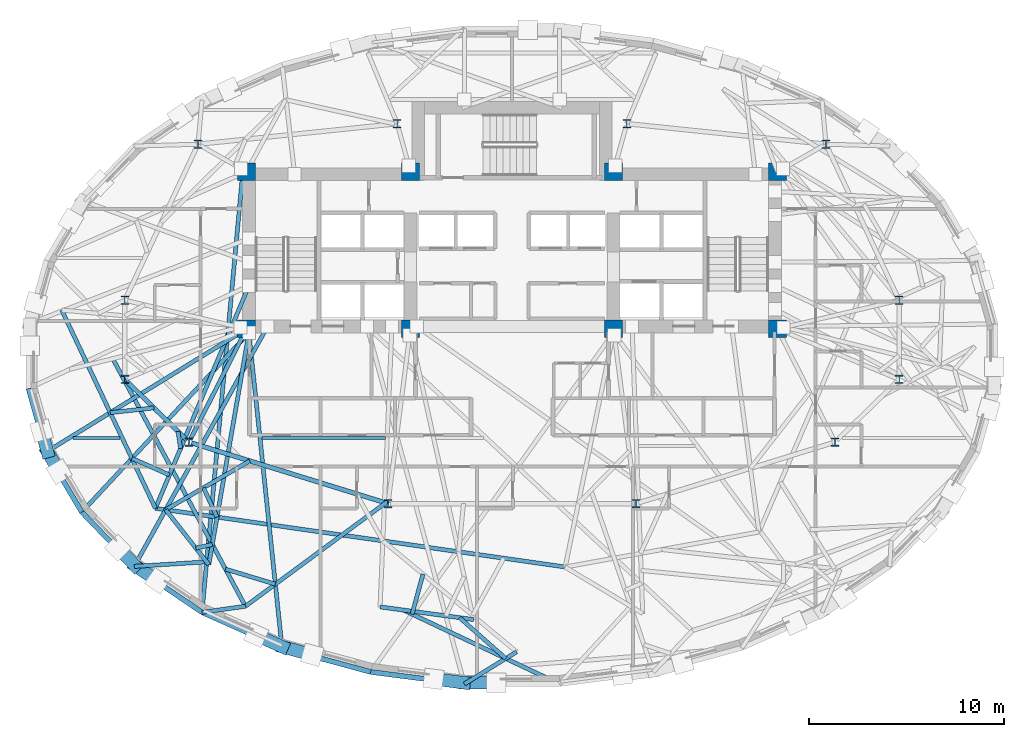
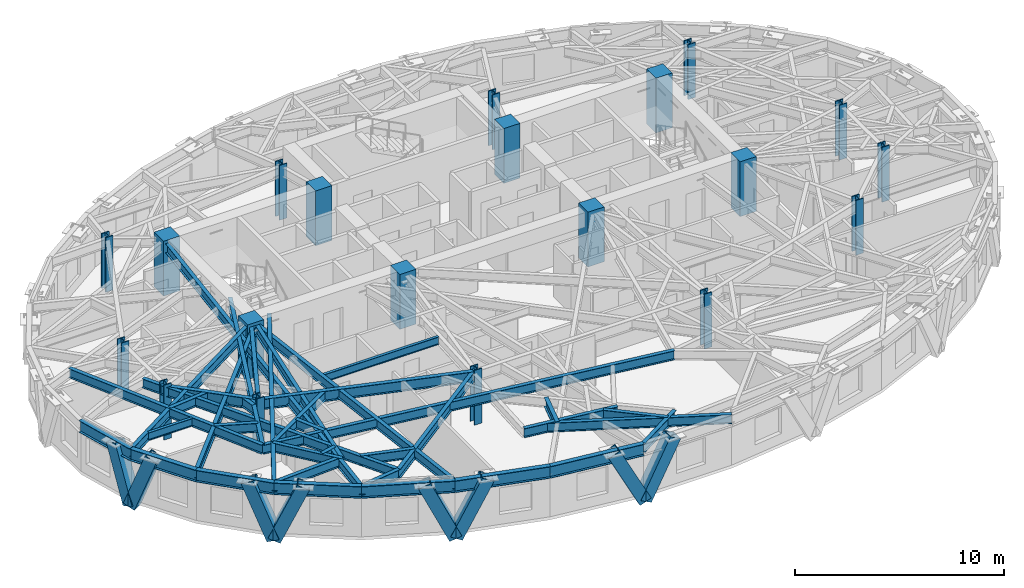
# One storey, part 1 of 15: 38 beams, 20 columns, 8 members.
"""IFC4 building model written with IfcOpenShell, lengths in metres."""

from ifc_helpers import new_model, si_unit, direction, frame, origin, origin_2d, place, context, subcontext, project, spatial, rectangle, hollow_rectangle, i_section, extrude, material, material_profile, profile_set, type_object, element, save


model = new_model("IFC4")

# Units and contexts
model_context = context("Model", 3, precision=1e-05, world=origin(), true_north=direction((0.0, 1.0)))
body_context = subcontext(model_context, "Body", "Model", "MODEL_VIEW")
ifc_project = project(units=[si_unit("LENGTHUNIT", "METRE"), si_unit("AREAUNIT", "SQUARE_METRE"), si_unit("VOLUMEUNIT", "CUBIC_METRE"), si_unit("PLANEANGLEUNIT", "RADIAN"), si_unit("MASSUNIT", "GRAM", prefix="KILO")], contexts=[model_context])

# Site, building, storey
site_placement = place(None, origin())
site = spatial("IfcSite", under=ifc_project, at=site_placement, CompositionType="ELEMENT")
building_placement = place(site_placement, origin())
building = spatial("IfcBuilding", under=site, at=building_placement, Name="Keldmark Tower", CompositionType="ELEMENT")
storey_placement = place(building_placement, frame((0.0, 0.0, 166.199951171875)))
storey = spatial("IfcBuildingStorey", under=building, at=storey_placement, Name="L45", CompositionType="ELEMENT", Elevation=166.199951171875)

# Columns
ifc_material_1 = material(Name="Concrete C50/60", Category="concrete")
ifc_material_profile_1 = material_profile(ifc_material_1, rectangle(XDim=0.89990234375, YDim=0.89990234375, at=origin_2d()), Name="RC900X900")
ifc_profile_set_1 = profile_set([ifc_material_profile_1], Name="Concrete C50/60")
column_type_1 = type_object("IfcColumnType", Name="Core Boundary Column RC900", PredefinedType="COLUMN", material=ifc_profile_set_1)
for number, where, z_axis, x_axis, name in (
    (1, (-13.60009765625, 1.39990234375, 0.0), (0.0, 0.0, 1.0), (1.0, 0.0, 0.0), "L45 Core Boundary Column CC-W1"),
    (2, (-13.60009765625, 9.449951171875, 0.0), (0.0, 0.0, 1.0), (1.0, 0.0, 0.0), "L45 Core Boundary Column CC-W2"),
    (3, (-5.199951171875, 1.39990234375, 0.0), (0.0, 0.0, 1.0), (1.0, 0.0, 0.0), "L45 Core Boundary Column CC-W3"),
    (4, (-5.199951171875, 9.449951171875, 0.0), (0.0, 0.0, 1.0), (1.0, 0.0, 0.0), "L45 Core Boundary Column CC-W4"),
    (5, (5.199951171875, 1.39990234375, 0.0), (0.0, 0.0, 1.0), (1.0, 0.0, 0.0), "L45 Core Boundary Column CC-E1"),
    (6, (5.199951171875, 9.449951171875, 0.0), (0.0, 0.0, 1.0), (1.0, 0.0, 0.0), "L45 Core Boundary Column CC-E2"),
    (7, (13.60009765625, 1.39990234375, 0.0), (0.0, 0.0, 1.0), (1.0, 0.0, 0.0), "L45 Core Boundary Column CC-E3"),
    (8, (13.60009765625, 9.449951171875, 0.0), (0.0, 0.0, 1.0), (1.0, 0.0, 0.0), "L45 Core Boundary Column CC-E4"),
):
    element("IfcColumn", number, at=place(storey_placement, frame(where, z_axis=z_axis, x_axis=x_axis)), inside=storey, type_object=column_type_1, Name=name, PredefinedType="COLUMN", context=body_context, shape_type="SweptSolid", body=[
        extrude(rectangle(XDim=0.89990234375, YDim=0.89990234375, at=origin_2d()), origin(), (0.0, 0.0, 1.0), 3.199951171875),
    ])
ifc_material_2 = material(Name="Steel ASTM A992 Grade 50", Category="steel")
ifc_material_profile_2 = material_profile(ifc_material_2, i_section(OverallWidth=0.412109375, OverallDepth=0.43505859375, WebThickness=0.035888671875, FlangeThickness=0.057373046875, at=origin_2d()), Name="W14X311")
ifc_profile_set_2 = profile_set([ifc_material_profile_2], Name="Steel ASTM A992 Grade 50")
column_type_2 = type_object("IfcColumnType", Name="Tower Gravity Column W14X311", PredefinedType="COLUMN", material=ifc_profile_set_2)
for number, where, z_axis, x_axis, name in (
    (9, (19.828369140625, 2.869140625, 0.0), (0.0, 0.0, 1.0), (1.0, 0.0, 0.0), "L45 Tower Gravity Column TC-E1"),
    (10, (16.08154296875, 10.861083984375, 0.0), (0.0, 0.0, 1.0), (1.0, 0.0, 0.0), "L45 Tower Gravity Column TC-E4"),
    (11, (5.880126953125, 11.915283203125, 0.0), (0.0, 0.0, 1.0), (1.0, 0.0, 0.0), "L45 Tower Gravity Column TC-N2"),
    (12, (-5.880126953125, 11.915283203125, 0.0), (0.0, 0.0, 1.0), (1.0, 0.0, 0.0), "L45 Tower Gravity Column TC-N1"),
    (13, (-16.08154296875, 10.861083984375, 0.0), (0.0, 0.0, 1.0), (1.0, 0.0, 0.0), "L45 Tower Gravity Column TC-W4"),
    (14, (-19.828369140625, 2.869140625, 0.0), (0.0, 0.0, 1.0), (1.0, 0.0, 0.0), "L45 Tower Gravity Column TC-W1"),
    (15, (-19.828369140625, -1.189208984375, 0.0), (0.0, 0.0, 1.0), (1.0, 0.0, 0.0), "L45 Tower Gravity Column TC-W5"),
    (16, (-16.546630859375, -4.3984375, 0.0), (0.0, 0.0, 1.0), (1.0, 0.0, 0.0), "L45 Tower Gravity Column TC-W2"),
    (17, (-6.351318359375, -7.546142578125, 0.0), (0.0, 0.0, 1.0), (1.0, 0.0, 0.0), "L45 Tower Gravity Column TC-W3"),
    (18, (6.351318359375, -7.546142578125, 0.0), (0.0, 0.0, 1.0), (1.0, 0.0, 0.0), "L45 Tower Gravity Column TC-E3"),
    (19, (16.546630859375, -4.3984375, 0.0), (0.0, 0.0, 1.0), (1.0, 0.0, 0.0), "L45 Tower Gravity Column TC-E2"),
    (20, (19.828369140625, -1.189208984375, 0.0), (0.0, 0.0, 1.0), (1.0, 0.0, 0.0), "L45 Tower Gravity Column TC-E5"),
):
    element("IfcColumn", number, at=place(storey_placement, frame(where, z_axis=z_axis, x_axis=x_axis)), inside=storey, type_object=column_type_2, Name=name, PredefinedType="COLUMN", context=body_context, shape_type="SweptSolid", body=[
        extrude(i_section(OverallWidth=0.412109375, OverallDepth=0.43505859375, WebThickness=0.035888671875, FlangeThickness=0.057373046875, at=origin_2d()), origin(), (0.0, 0.0, 1.0), 3.199951171875),
    ])

# Beams
ifc_material_3 = material(Name="Steel ASTM A992 Grade 50", Category="steel")
ifc_material_profile_3 = material_profile(ifc_material_3, i_section(OverallWidth=0.153076171875, OverallDepth=0.455078125, WebThickness=0.008056640625, FlangeThickness=0.01318359375, at=origin_2d()), Name="W18X40")
ifc_profile_set_3 = profile_set([ifc_material_profile_3], Name="Steel ASTM A992 Grade 50")
beam_type_1 = type_object("IfcBeamType", Name="Composite Floor Joist W18X40", PredefinedType="JOIST", material=ifc_profile_set_3)
beam_1_placement = place(storey_placement, frame((-22.488525390625, -4.179931640625, 2.79248046875), z_axis=(1.0, 0.0, 0.0), x_axis=(0.0, 1.0, 0.0)))
element("IfcBeam", 21, at=beam_1_placement, inside=storey, type_object=beam_type_1, Name="L45 Composite Floor Joist J01", PredefinedType="JOIST", context=body_context, shape_type="SweptSolid", body=[
    extrude(i_section(OverallWidth=0.153076171875, OverallDepth=0.455078125, WebThickness=0.008056640625, FlangeThickness=0.01318359375, at=origin_2d()), origin(), (0.0, 0.0, 1.0), 2.413330078125),
])
beam_2_placement = place(storey_placement, frame((-12.81298828125, -4.179931640625, 2.79248046875), z_axis=(1.0, 0.0, 0.0), x_axis=(0.0, 1.0, 0.0)))
element("IfcBeam", 22, at=beam_2_placement, inside=storey, type_object=beam_type_1, Name="L45 Composite Floor Joist J02", PredefinedType="JOIST", context=body_context, shape_type="SweptSolid", body=[
    extrude(i_section(OverallWidth=0.153076171875, OverallDepth=0.455078125, WebThickness=0.008056640625, FlangeThickness=0.01318359375, at=origin_2d()), origin(), (0.0, 0.0, 1.0), 6.324951171875),
])

# Members
ifc_material_4 = material(Name="Steel ASTM A572 Grade 50", Category="steel")
ifc_material_profile_4 = material_profile(ifc_material_4, hollow_rectangle(XDim=0.64990234375, YDim=0.64990234375, WallThickness=0.0400390625, at=origin_2d()), Name="BOX650X650X40")
ifc_profile_set_4 = profile_set([ifc_material_profile_4], Name="Steel ASTM A572 Grade 50")
member_type = type_object("IfcMemberType", Name="Diagrid Zone 3 Brace BOX650X650X40", PredefinedType="BRACE", material=ifc_profile_set_4)
member_1_placement = place(storey_placement, frame((-23.797119140625, -4.89990234375, -0.260009765625), z_axis=(-0.090314947271, 0.323197970047, 0.942011827132), x_axis=(-0.963103534488, -0.269131161067, 0.0)))
element("IfcMember", 23, at=member_1_placement, inside=storey, type_object=member_type, Name="L45 Perimeter Diagrid Brace 09A", PredefinedType="BRACE", context=body_context, shape_type="SweptSolid", body=[
    extrude(hollow_rectangle(XDim=0.64990234375, YDim=0.64990234375, WallThickness=0.0400390625, at=origin_2d()), origin(), (0.0, 0.0, 1.0), 3.354736328125),
])
member_2_placement = place(storey_placement, frame((-23.799560546875, -4.88818359375, -0.260009765625), z_axis=(0.17962219143, -0.303875932705, 0.93562561202), x_axis=(0.860853140724, 0.508853485894, 0.0)))
element("IfcMember", 24, at=member_2_placement, inside=storey, type_object=member_type, Name="L45 Perimeter Diagrid Brace 09B", PredefinedType="BRACE", context=body_context, shape_type="SweptSolid", body=[
    extrude(hollow_rectangle(XDim=0.64990234375, YDim=0.64990234375, WallThickness=0.0400390625, at=origin_2d()), origin(), (0.0, 0.0, 1.0), 3.377685546875),
])
member_3_placement = place(storey_placement, frame((-19.297119140625, -10.736328125, -0.260009765625), z_axis=(-0.262394573969, 0.271551200323, 0.92596384009), x_axis=(-0.719127207078, -0.694878449832, 0.0)))
element("IfcMember", 25, at=member_3_placement, inside=storey, type_object=member_type, Name="L45 Perimeter Diagrid Brace 10A", PredefinedType="BRACE", context=body_context, shape_type="SweptSolid", body=[
    extrude(hollow_rectangle(XDim=0.64990234375, YDim=0.64990234375, WallThickness=0.0400390625, at=origin_2d()), origin(), (0.0, 0.0, 1.0), 3.412841796875),
])
member_4_placement = place(storey_placement, frame((-19.303466796875, -10.7265625, -0.260009765625), z_axis=(0.334708199095, -0.226883687417, 0.914600576122), x_axis=(0.56109540076, 0.827751140891, 0.0)))
element("IfcMember", 26, at=member_4_placement, inside=storey, type_object=member_type, Name="L45 Perimeter Diagrid Brace 10B", PredefinedType="BRACE", context=body_context, shape_type="SweptSolid", body=[
    extrude(hollow_rectangle(XDim=0.64990234375, YDim=0.64990234375, WallThickness=0.0400390625, at=origin_2d()), origin(), (0.0, 0.0, 1.0), 3.455322265625),
])
member_5_placement = place(storey_placement, frame((-11.74072265625, -14.8916015625, -0.260009765625), z_axis=(-0.391037681566, 0.173592799352, 0.903855669678), x_axis=(-0.405744700759, -0.913986453842, 0.0)))
element("IfcMember", 27, at=member_5_placement, inside=storey, type_object=member_type, Name="L45 Perimeter Diagrid Brace 11A", PredefinedType="BRACE", context=body_context, shape_type="SweptSolid", body=[
    extrude(hollow_rectangle(XDim=0.64990234375, YDim=0.64990234375, WallThickness=0.0400390625, at=origin_2d()), origin(), (0.0, 0.0, 1.0), 3.496337890625),
])
member_6_placement = place(storey_placement, frame((-11.75048828125, -14.88525390625, -0.260009765625), z_axis=(0.429101150924, -0.11653061412, 0.895707998317), x_axis=(0.262076941922, 0.965046981506, 0.0)))
element("IfcMember", 28, at=member_6_placement, inside=storey, type_object=member_type, Name="L45 Perimeter Diagrid Brace 11B", PredefinedType="BRACE", context=body_context, shape_type="SweptSolid", body=[
    extrude(hollow_rectangle(XDim=0.64990234375, YDim=0.64990234375, WallThickness=0.0400390625, at=origin_2d()), origin(), (0.0, 0.0, 1.0), 3.528076171875),
])
member_7_placement = place(storey_placement, frame((-2.421875, -16.730712890625, -0.260009765625), z_axis=(-0.450753018581, 0.057875311241, 0.890770545421), x_axis=(-0.127351493636, -0.991857649599, 0.0)))
element("IfcMember", 29, at=member_7_placement, inside=storey, type_object=member_type, Name="L45 Perimeter Diagrid Brace 12A", PredefinedType="BRACE", context=body_context, shape_type="SweptSolid", body=[
    extrude(hollow_rectangle(XDim=0.64990234375, YDim=0.64990234375, WallThickness=0.0400390625, at=origin_2d()), origin(), (0.0, 0.0, 1.0), 3.547607421875),
])
member_8_placement = place(storey_placement, frame((-2.433349609375, -16.728515625, -0.260009765625), z_axis=(0.457569956339, 0.0, 0.889173624809), x_axis=(0.0, 1.0, 0.0)))
element("IfcMember", 30, at=member_8_placement, inside=storey, type_object=member_type, Name="L45 Perimeter Diagrid Brace 12B", PredefinedType="BRACE", context=body_context, shape_type="SweptSolid", body=[
    extrude(hollow_rectangle(XDim=0.64990234375, YDim=0.64990234375, WallThickness=0.0400390625, at=origin_2d()), origin(), (0.0, 0.0, 1.0), 3.553955078125),
])

# Beams
ifc_material_5 = material(Name="Steel ASTM A992 Grade 50", Category="steel")
ifc_material_profile_5 = material_profile(ifc_material_5, i_section(OverallWidth=0.22900390625, OverallDepth=0.612060546875, WebThickness=0.011962890625, FlangeThickness=0.01953125, at=origin_2d()), Name="W24X84")
ifc_profile_set_5 = profile_set([ifc_material_profile_5], Name="Steel ASTM A992 Grade 50")
beam_type_2 = type_object("IfcBeamType", Name="Primary Floor Girder W24X84", PredefinedType="BEAM", material=ifc_profile_set_5)
beam_3_placement = place(storey_placement, frame((-19.728271484375, -1.287109375, 2.714111328125), z_axis=(0.714964509815, -0.699160746684, 0.0), x_axis=(0.699160746684, 0.714964509815, 0.0)))
element("IfcBeam", 31, at=beam_3_placement, inside=storey, type_object=beam_type_2, Name="L45 Floor Ring Girder FG-R07", PredefinedType="BEAM", context=body_context, shape_type="SweptSolid", body=[
    extrude(i_section(OverallWidth=0.22900390625, OverallDepth=0.612060546875, WebThickness=0.011962890625, FlangeThickness=0.01953125, at=origin_2d()), origin(), (0.0, 0.0, 1.0), 4.31005859375),
])
beam_4_placement = place(storey_placement, frame((-16.412841796875, -4.439697265625, 2.714111328125), z_axis=(0.955494563145, -0.295008711398, 0.0), x_axis=(0.295008711398, 0.955494563145, 0.0)))
element("IfcBeam", 32, at=beam_4_placement, inside=storey, type_object=beam_type_2, Name="L45 Floor Ring Girder FG-R08", PredefinedType="BEAM", context=body_context, shape_type="SweptSolid", body=[
    extrude(i_section(OverallWidth=0.22900390625, OverallDepth=0.612060546875, WebThickness=0.011962890625, FlangeThickness=0.01953125, at=origin_2d()), origin(), (0.0, 0.0, 1.0), 10.39013671875),
])
ifc_material_6 = material(Name="Steel ASTM A992 Grade 50", Category="steel")
ifc_material_profile_6 = material_profile(ifc_material_6, i_section(OverallWidth=0.2099609375, OverallDepth=0.537109375, WebThickness=0.010986328125, FlangeThickness=0.017333984375, at=origin_2d()), Name="W21X68")
ifc_profile_set_6 = profile_set([ifc_material_profile_6], Name="Steel ASTM A992 Grade 50")
beam_type_3 = type_object("IfcBeamType", Name="Radial Tie Girder W21X68", PredefinedType="BEAM", material=ifc_profile_set_6)
beam_5_placement = place(storey_placement, frame((-16.4833984375, -4.273681640625, 2.75146484375), z_axis=(0.453036691775, 0.891491870914, 0.0), x_axis=(-0.891491870914, 0.453036691775, 0.0)))
element("IfcBeam", 33, at=beam_5_placement, inside=storey, type_object=beam_type_3, Name="L45 Floor Radial Girder FG-C08", PredefinedType="BEAM", context=body_context, shape_type="SweptSolid", body=[
    extrude(i_section(OverallWidth=0.2099609375, OverallDepth=0.537109375, WebThickness=0.010986328125, FlangeThickness=0.017333984375, at=origin_2d()), origin(), (0.0, 0.0, 1.0), 6.044189453125),
])
beam_6_placement = place(storey_placement, frame((-17.10888671875, -3.8486328125, 2.75146484375), z_axis=(0.151059193006, -0.988524719068, 0.0), x_axis=(0.988524719068, 0.151059193006, 0.0)))
element("IfcBeam", 34, at=beam_6_placement, inside=storey, type_object=beam_type_3, Name="L45 Framing Pin Header PH-006", PredefinedType="BEAM", context=body_context, shape_type="SweptSolid", body=[
    extrude(i_section(OverallWidth=0.2099609375, OverallDepth=0.537109375, WebThickness=0.010986328125, FlangeThickness=0.017333984375, at=origin_2d()), origin(), (0.0, 0.0, 1.0), 0.88232421875),
])
beam_7_placement = place(storey_placement, frame((-13.47509765625, 3.6142578125, 2.75146484375), z_axis=(-0.387184823209, -0.922002121839, 0.0), x_axis=(0.922002121839, -0.387184823209, 0.0)))
element("IfcBeam", 35, at=beam_7_placement, inside=storey, type_object=beam_type_3, Name="L45 Sub-Ring Step Girder STP2-M08", PredefinedType="BEAM", context=body_context, shape_type="SweptSolid", body=[
    extrude(i_section(OverallWidth=0.2099609375, OverallDepth=0.537109375, WebThickness=0.010986328125, FlangeThickness=0.017333984375, at=origin_2d()), origin(), (0.0, 0.0, 1.0), 12.366455078125),
])
beam_8_placement = place(storey_placement, frame((-23.061767578125, 2.364013671875, 2.75146484375), z_axis=(0.42735344436, -0.904084638512, 0.0), x_axis=(0.904084638512, 0.42735344436, 0.0)))
element("IfcBeam", 36, at=beam_8_placement, inside=storey, type_object=beam_type_3, Name="L45 Perimeter Collector Ring Beam CRG2-M07", PredefinedType="BEAM", context=body_context, shape_type="SweptSolid", body=[
    extrude(i_section(OverallWidth=0.2099609375, OverallDepth=0.537109375, WebThickness=0.010986328125, FlangeThickness=0.017333984375, at=origin_2d()), origin(), (0.0, 0.0, 1.0), 11.228515625),
])
beam_9_placement = place(storey_placement, frame((-18.26318359375, -7.78759765625, 2.75146484375), z_axis=(0.989880746526, -0.141901753539, 0.0), x_axis=(0.141901753539, 0.989880746526, 0.0)))
element("IfcBeam", 37, at=beam_9_placement, inside=storey, type_object=beam_type_3, Name="L45 Perimeter Collector Ring Beam CRG2-M08", PredefinedType="BEAM", context=body_context, shape_type="SweptSolid", body=[
    extrude(i_section(OverallWidth=0.2099609375, OverallDepth=0.537109375, WebThickness=0.010986328125, FlangeThickness=0.017333984375, at=origin_2d()), origin(), (0.0, 0.0, 1.0), 21.20166015625),
])
beam_10_placement = place(storey_placement, frame((-18.341552734375, -2.643310546875, 2.75146484375), z_axis=(-0.993966802091, -0.109681339982, 0.0), x_axis=(0.109681339982, -0.993966802091, 0.0)))
element("IfcBeam", 38, at=beam_10_placement, inside=storey, type_object=beam_type_3, Name="L45 Framing Pin Header PH-015", PredefinedType="BEAM", context=body_context, shape_type="SweptSolid", body=[
    extrude(i_section(OverallWidth=0.2099609375, OverallDepth=0.537109375, WebThickness=0.010986328125, FlangeThickness=0.017333984375, at=origin_2d()), origin(), (0.0, 0.0, 1.0), 2.25048828125),
])
beam_11_placement = place(storey_placement, frame((-13.60009765625, 1.39990234375, 2.75146484375), z_axis=(-0.851889377542, -0.523721766237, 0.0), x_axis=(0.523721766237, -0.851889377542, 0.0)))
element("IfcBeam", 39, at=beam_11_placement, inside=storey, type_object=beam_type_3, Name="L45 Perimeter Radial Tie Girder RT-18", PredefinedType="BEAM", context=body_context, shape_type="SweptSolid", body=[
    extrude(i_section(OverallWidth=0.2099609375, OverallDepth=0.537109375, WebThickness=0.010986328125, FlangeThickness=0.017333984375, at=origin_2d()), origin(), (0.0, 0.0, 1.0), 12.0400390625),
])
beam_12_placement = place(storey_placement, frame((-17.545166015625, -6.077392578125, 2.75146484375), z_axis=(-0.915749251717, 0.401750305513, 0.0), x_axis=(-0.401750305513, -0.915749251717, 0.0)))
element("IfcBeam", 40, at=beam_12_placement, inside=storey, type_object=beam_type_3, Name="L45 Framing Pin Header PH-016", PredefinedType="BEAM", context=body_context, shape_type="SweptSolid", body=[
    extrude(i_section(OverallWidth=0.2099609375, OverallDepth=0.537109375, WebThickness=0.010986328125, FlangeThickness=0.017333984375, at=origin_2d()), origin(), (0.0, 0.0, 1.0), 2.103271484375),
])
beam_13_placement = place(storey_placement, frame((-13.47509765625, 1.199951171875, 2.75146484375), z_axis=(-0.68187128717, -0.731472178372, 0.0), x_axis=(0.731472178372, -0.68187128717, 0.0)))
element("IfcBeam", 41, at=beam_13_placement, inside=storey, type_object=beam_type_3, Name="L45 Perimeter Radial Tie Girder RT-19", PredefinedType="BEAM", context=body_context, shape_type="SweptSolid", body=[
    extrude(i_section(OverallWidth=0.2099609375, OverallDepth=0.537109375, WebThickness=0.010986328125, FlangeThickness=0.017333984375, at=origin_2d()), origin(), (0.0, 0.0, 1.0), 12.556396484375),
])
beam_14_placement = place(storey_placement, frame((-13.4345703125, -5.359375, 2.75146484375), z_axis=(-0.86439716322, -0.502809650083, 0.0), x_axis=(0.502809650083, -0.86439716322, 0.0)))
element("IfcBeam", 42, at=beam_14_placement, inside=storey, type_object=beam_type_3, Name="L45 Framing Pin Header PH-017", PredefinedType="BEAM", context=body_context, shape_type="SweptSolid", body=[
    extrude(i_section(OverallWidth=0.2099609375, OverallDepth=0.537109375, WebThickness=0.010986328125, FlangeThickness=0.017333984375, at=origin_2d()), origin(), (0.0, 0.0, 1.0), 4.978759765625),
])
beam_15_placement = place(storey_placement, frame((-12.52490234375, 1.52490234375, 2.75146484375), z_axis=(-0.485502839655, -0.874235090057, 0.0), x_axis=(0.874235090057, -0.485502839655, 0.0)))
element("IfcBeam", 43, at=beam_15_placement, inside=storey, type_object=beam_type_3, Name="L45 Perimeter Radial Tie Girder RT-20", PredefinedType="BEAM", context=body_context, shape_type="SweptSolid", body=[
    extrude(i_section(OverallWidth=0.2099609375, OverallDepth=0.537109375, WebThickness=0.010986328125, FlangeThickness=0.017333984375, at=origin_2d()), origin(), (0.0, 0.0, 1.0), 14.057373046875),
])
beam_16_placement = place(storey_placement, frame((-15.801513671875, -6.736083984375, 2.75146484375), z_axis=(0.418497022702, -0.908218168718, 0.0), x_axis=(0.908218168718, 0.418497022702, 0.0)))
element("IfcBeam", 44, at=beam_16_placement, inside=storey, type_object=beam_type_3, Name="L45 Framing Pin Header PH-018", PredefinedType="BEAM", context=body_context, shape_type="SweptSolid", body=[
    extrude(i_section(OverallWidth=0.2099609375, OverallDepth=0.537109375, WebThickness=0.010986328125, FlangeThickness=0.017333984375, at=origin_2d()), origin(), (0.0, 0.0, 1.0), 1.655517578125),
])
beam_17_placement = place(storey_placement, frame((-13.47509765625, 1.199951171875, 2.75146484375), z_axis=(-0.170520248279, -0.985354172329, 0.0), x_axis=(0.985354172329, -0.170520248279, 0.0)))
element("IfcBeam", 45, at=beam_17_placement, inside=storey, type_object=beam_type_3, Name="L45 Intermediate Radial Step Girder RT-21M", PredefinedType="BEAM", context=body_context, shape_type="SweptSolid", body=[
    extrude(i_section(OverallWidth=0.2099609375, OverallDepth=0.537109375, WebThickness=0.010986328125, FlangeThickness=0.017333984375, at=origin_2d()), origin(), (0.0, 0.0, 1.0), 12.049560546875),
])
beam_18_placement = place(storey_placement, frame((-17.73828125, -7.86279296875, 2.75146484375), z_axis=(0.617890932331, -0.786263820701, 0.0), x_axis=(0.786263820701, 0.617890932331, 0.0)))
element("IfcBeam", 46, at=beam_18_placement, inside=storey, type_object=beam_type_3, Name="L45 Local Collector Chord RT-21C", PredefinedType="BEAM", context=body_context, shape_type="SweptSolid", body=[
    extrude(i_section(OverallWidth=0.2099609375, OverallDepth=0.537109375, WebThickness=0.010986328125, FlangeThickness=0.017333984375, at=origin_2d()), origin(), (0.0, 0.0, 1.0), 3.57421875),
])
beam_19_placement = place(storey_placement, frame((-19.349853515625, -10.7646484375, 2.75146484375), z_axis=(0.998042853963, 0.06253368415, 0.0), x_axis=(-0.06253368415, 0.998042853963, 0.0)))
element("IfcBeam", 47, at=beam_19_placement, inside=storey, type_object=beam_type_3, Name="L45 Framing Pin Header PH-019", PredefinedType="BEAM", context=body_context, shape_type="SweptSolid", body=[
    extrude(i_section(OverallWidth=0.2099609375, OverallDepth=0.537109375, WebThickness=0.010986328125, FlangeThickness=0.017333984375, at=origin_2d()), origin(), (0.0, 0.0, 1.0), 3.716796875),
])
beam_20_placement = place(storey_placement, frame((-13.800048828125, 9.324951171875, 2.75146484375), z_axis=(-0.092281945607, -0.99573291726, 0.0), x_axis=(0.99573291726, -0.092281945607, 0.0)))
element("IfcBeam", 48, at=beam_20_placement, inside=storey, type_object=beam_type_3, Name="L45 Perimeter Radial Tie Girder RT-21", PredefinedType="BEAM", context=body_context, shape_type="SweptSolid", body=[
    extrude(i_section(OverallWidth=0.2099609375, OverallDepth=0.537109375, WebThickness=0.010986328125, FlangeThickness=0.017333984375, at=origin_2d()), origin(), (0.0, 0.0, 1.0), 22.537841796875),
])
beam_21_placement = place(storey_placement, frame((-16.1923828125, -9.830078125, 2.75146484375), z_axis=(0.975279944922, 0.220972914704, 0.0), x_axis=(-0.220972914704, 0.975279944922, 0.0)))
element("IfcBeam", 49, at=beam_21_placement, inside=storey, type_object=beam_type_3, Name="L45 Framing Pin Header PH-020", PredefinedType="BEAM", context=body_context, shape_type="SweptSolid", body=[
    extrude(i_section(OverallWidth=0.2099609375, OverallDepth=0.537109375, WebThickness=0.010986328125, FlangeThickness=0.017333984375, at=origin_2d()), origin(), (0.0, 0.0, 1.0), 0.86279296875),
])
beam_22_placement = place(storey_placement, frame((-20.449462890625, -0.123779296875, 2.75146484375), z_axis=(0.472291573238, -0.881442380334, 0.0), x_axis=(0.881442380334, 0.472291573238, 0.0)))
element("IfcBeam", 50, at=beam_22_placement, inside=storey, type_object=beam_type_3, Name="L45 Intermediate Radial Step Girder RT-22M", PredefinedType="BEAM", context=body_context, shape_type="SweptSolid", body=[
    extrude(i_section(OverallWidth=0.2099609375, OverallDepth=0.537109375, WebThickness=0.010986328125, FlangeThickness=0.017333984375, at=origin_2d()), origin(), (0.0, 0.0, 1.0), 14.3876953125),
])
beam_23_placement = place(storey_placement, frame((-15.8798828125, -13.11669921875, 2.75146484375), z_axis=(0.990375132926, 0.138409161842, 0.0), x_axis=(-0.138409161842, 0.990375132926, 0.0)))
element("IfcBeam", 51, at=beam_23_placement, inside=storey, type_object=beam_type_3, Name="L45 Local Collector Chord RT-22C", PredefinedType="BEAM", context=body_context, shape_type="SweptSolid", body=[
    extrude(i_section(OverallWidth=0.2099609375, OverallDepth=0.537109375, WebThickness=0.010986328125, FlangeThickness=0.017333984375, at=origin_2d()), origin(), (0.0, 0.0, 1.0), 2.247314453125),
])
beam_24_placement = place(storey_placement, frame((-6.759033203125, -12.83837890625, 2.75146484375), z_axis=(0.99089057822, -0.134669454571, 0.0), x_axis=(0.134669454571, 0.99089057822, 0.0)))
element("IfcBeam", 52, at=beam_24_placement, inside=storey, type_object=beam_type_3, Name="L45 Local Collector Chord RT-24C", PredefinedType="BEAM", context=body_context, shape_type="SweptSolid", body=[
    extrude(i_section(OverallWidth=0.2099609375, OverallDepth=0.537109375, WebThickness=0.010986328125, FlangeThickness=0.017333984375, at=origin_2d()), origin(), (0.0, 0.0, 1.0), 4.836669921875),
])
beam_25_placement = place(storey_placement, frame((-2.439208984375, -16.7880859375, 2.75146484375), z_axis=(0.851276700656, 0.524717046531, 0.0), x_axis=(-0.524717046531, 0.851276700656, 0.0)))
element("IfcBeam", 53, at=beam_25_placement, inside=storey, type_object=beam_type_3, Name="L45 Local Collector Chord RT-25C", PredefinedType="BEAM", context=body_context, shape_type="SweptSolid", body=[
    extrude(i_section(OverallWidth=0.2099609375, OverallDepth=0.537109375, WebThickness=0.010986328125, FlangeThickness=0.017333984375, at=origin_2d()), origin(), (0.0, 0.0, 1.0), 3.14306640625),
])
beam_26_placement = place(storey_placement, frame((-2.685302734375, -13.39208984375, 2.75146484375), z_axis=(0.749386209954, -0.662133150001, 0.0), x_axis=(0.662133150001, 0.749386209954, 0.0)))
element("IfcBeam", 54, at=beam_26_placement, inside=storey, type_object=beam_type_3, Name="L45 Framing Pin Header PH-025", PredefinedType="BEAM", context=body_context, shape_type="SweptSolid", body=[
    extrude(i_section(OverallWidth=0.2099609375, OverallDepth=0.537109375, WebThickness=0.010986328125, FlangeThickness=0.017333984375, at=origin_2d()), origin(), (0.0, 0.0, 1.0), 3.15625),
])
beam_27_placement = place(storey_placement, frame((-5.560791015625, -13.001220703125, 2.75146484375), z_axis=(0.903851822257, -0.427845630342, 0.0), x_axis=(0.427845630342, 0.903851822257, 0.0)))
element("IfcBeam", 55, at=beam_27_placement, inside=storey, type_object=beam_type_3, Name="L45 Perimeter Radial Tie Girder RT-25", PredefinedType="BEAM", context=body_context, shape_type="SweptSolid", body=[
    extrude(i_section(OverallWidth=0.2099609375, OverallDepth=0.537109375, WebThickness=0.010986328125, FlangeThickness=0.017333984375, at=origin_2d()), origin(), (0.0, 0.0, 1.0), 8.85107421875),
])
beam_28_placement = place(storey_placement, frame((-13.654296875, -12.8056640625, 2.75146484375), z_axis=(0.804846658132, 0.593482819375, 0.0), x_axis=(-0.593482819375, 0.804846658132, 0.0)))
element("IfcBeam", 56, at=beam_28_placement, inside=storey, type_object=beam_type_3, Name="L45 Straddling Support Chord RT-22RB", PredefinedType="BEAM", context=body_context, shape_type="SweptSolid", body=[
    extrude(i_section(OverallWidth=0.2099609375, OverallDepth=0.537109375, WebThickness=0.010986328125, FlangeThickness=0.017333984375, at=origin_2d()), origin(), (0.0, 0.0, 1.0), 9.09619140625),
])
beam_29_placement = place(storey_placement, frame((-14.673583984375, -10.9033203125, 2.75146484375), z_axis=(0.957132932409, -0.289649011214, 0.0), x_axis=(0.289649011214, 0.957132932409, 0.0)))
element("IfcBeam", 57, at=beam_29_placement, inside=storey, type_object=beam_type_3, Name="L45 Framing Pin Header PH-040", PredefinedType="BEAM", context=body_context, shape_type="SweptSolid", body=[
    extrude(i_section(OverallWidth=0.2099609375, OverallDepth=0.537109375, WebThickness=0.010986328125, FlangeThickness=0.017333984375, at=origin_2d()), origin(), (0.0, 0.0, 1.0), 2.666015625),
])
beam_30_placement = place(storey_placement, frame((-13.47509765625, 1.199951171875, 2.75146484375), z_axis=(0.104535977391, -0.994521105573, 0.0), x_axis=(0.994521105573, 0.104535977391, 0.0)))
element("IfcBeam", 58, at=beam_30_placement, inside=storey, type_object=beam_type_3, Name="L45 Perimeter Radial Tie Girder RT-22R", PredefinedType="BEAM", context=body_context, shape_type="SweptSolid", body=[
    extrude(i_section(OverallWidth=0.2099609375, OverallDepth=0.537109375, WebThickness=0.010986328125, FlangeThickness=0.017333984375, at=origin_2d()), origin(), (0.0, 0.0, 1.0), 16.226806640625),
])
beam_31_placement = place(storey_placement, frame((-4.56005859375, -11.161865234375, 2.75146484375), z_axis=(-0.262446171784, -0.964946634232, 0.0), x_axis=(0.964946634232, -0.262446171784, 0.0)))
element("IfcBeam", 59, at=beam_31_placement, inside=storey, type_object=beam_type_3, Name="L45 Framing Pin Header PH-041", PredefinedType="BEAM", context=body_context, shape_type="SweptSolid", body=[
    extrude(i_section(OverallWidth=0.2099609375, OverallDepth=0.537109375, WebThickness=0.010986328125, FlangeThickness=0.017333984375, at=origin_2d()), origin(), (0.0, 0.0, 1.0), 2.123779296875),
])
ifc_material_7 = material(Name="Steel ASTM A992 Grade 50", Category="steel")
ifc_material_profile_7 = material_profile(ifc_material_7, i_section(OverallWidth=0.256103515625, OverallDepth=0.693115234375, WebThickness=0.014404296875, FlangeThickness=0.023681640625, at=origin_2d()), Name="W27X114")
ifc_profile_set_7 = profile_set([ifc_material_profile_7], Name="Steel ASTM A992 Grade 50")
beam_type_4 = type_object("IfcBeamType", Name="Spandrel Ring Beam W27X114", PredefinedType="SPANDREL", material=ifc_profile_set_7)
beam_32_placement = place(storey_placement, frame((-24.76611328125, -1.653564453125, 2.673583984375), z_axis=(0.269235699479, -0.963074315993, 0.0), x_axis=(0.963074315993, 0.269235699479, 0.0)))
element("IfcBeam", 60, at=beam_32_placement, inside=storey, type_object=beam_type_4, Name="L45 Perimeter Spandrel Ring Beam SRB-17", PredefinedType="SPANDREL", context=body_context, shape_type="SweptSolid", body=[
    extrude(i_section(OverallWidth=0.256103515625, OverallDepth=0.693115234375, WebThickness=0.014404296875, FlangeThickness=0.023681640625, at=origin_2d()), origin(), (0.0, 0.0, 1.0), 3.376953125),
])
beam_33_placement = place(storey_placement, frame((-23.85693359375, -4.90576171875, 2.673583984375), z_axis=(0.508883387051, -0.860835465338, 0.0), x_axis=(0.860835465338, 0.508883387051, 0.0)))
element("IfcBeam", 61, at=beam_33_placement, inside=storey, type_object=beam_type_4, Name="L45 Perimeter Spandrel Ring Beam SRB-18", PredefinedType="SPANDREL", context=body_context, shape_type="SweptSolid", body=[
    extrude(i_section(OverallWidth=0.256103515625, OverallDepth=0.693115234375, WebThickness=0.014404296875, FlangeThickness=0.023681640625, at=origin_2d()), origin(), (0.0, 0.0, 1.0), 3.57666015625),
])
beam_34_placement = place(storey_placement, frame((-22.036865234375, -7.984619140625, 2.673583984375), z_axis=(0.694975307772, -0.719033602544, 0.0), x_axis=(0.719033602544, 0.694975307772, 0.0)))
element("IfcBeam", 62, at=beam_34_placement, inside=storey, type_object=beam_type_4, Name="L45 Perimeter Spandrel Ring Beam SRB-19", PredefinedType="SPANDREL", context=body_context, shape_type="SweptSolid", body=[
    extrude(i_section(OverallWidth=0.256103515625, OverallDepth=0.693115234375, WebThickness=0.014404296875, FlangeThickness=0.023681640625, at=origin_2d()), origin(), (0.0, 0.0, 1.0), 3.866455078125),
])
beam_35_placement = place(storey_placement, frame((-19.349853515625, -10.7646484375, 2.673583984375), z_axis=(0.827760762475, -0.561081206338, 0.0), x_axis=(0.561081206338, 0.827760762475, 0.0)))
element("IfcBeam", 63, at=beam_35_placement, inside=storey, type_object=beam_type_4, Name="L45 Perimeter Spandrel Ring Beam SRB-20", PredefinedType="SPANDREL", context=body_context, shape_type="SweptSolid", body=[
    extrude(i_section(OverallWidth=0.256103515625, OverallDepth=0.693115234375, WebThickness=0.014404296875, FlangeThickness=0.023681640625, at=origin_2d()), origin(), (0.0, 0.0, 1.0), 4.19189453125),
])
beam_36_placement = place(storey_placement, frame((-15.8798828125, -13.11669921875, 2.673583984375), z_axis=(0.913928177397, -0.405875949719, 0.0), x_axis=(0.405875949719, 0.913928177397, 0.0)))
element("IfcBeam", 64, at=beam_36_placement, inside=storey, type_object=beam_type_4, Name="L45 Perimeter Spandrel Ring Beam SRB-21", PredefinedType="SPANDREL", context=body_context, shape_type="SweptSolid", body=[
    extrude(i_section(OverallWidth=0.256103515625, OverallDepth=0.693115234375, WebThickness=0.014404296875, FlangeThickness=0.023681640625, at=origin_2d()), origin(), (0.0, 0.0, 1.0), 4.4873046875),
])
beam_37_placement = place(storey_placement, frame((-11.77880859375, -14.93798828125, 2.673583984375), z_axis=(0.965024302167, -0.26216043986, 0.0), x_axis=(0.26216043986, 0.965024302167, 0.0)))
element("IfcBeam", 65, at=beam_37_placement, inside=storey, type_object=beam_type_4, Name="L45 Perimeter Spandrel Ring Beam SRB-22", PredefinedType="SPANDREL", context=body_context, shape_type="SweptSolid", body=[
    extrude(i_section(OverallWidth=0.256103515625, OverallDepth=0.693115234375, WebThickness=0.014404296875, FlangeThickness=0.023681640625, at=origin_2d()), origin(), (0.0, 0.0, 1.0), 4.70654296875),
])
beam_38_placement = place(storey_placement, frame((-7.23681640625, -16.171875, 2.673583984375), z_axis=(0.991852091732, -0.127394772761, 0.0), x_axis=(0.127394772761, 0.991852091732, 0.0)))
element("IfcBeam", 66, at=beam_38_placement, inside=storey, type_object=beam_type_4, Name="L45 Perimeter Spandrel Ring Beam SRB-23", PredefinedType="SPANDREL", context=body_context, shape_type="SweptSolid", body=[
    extrude(i_section(OverallWidth=0.256103515625, OverallDepth=0.693115234375, WebThickness=0.014404296875, FlangeThickness=0.023681640625, at=origin_2d()), origin(), (0.0, 0.0, 1.0), 4.8369140625),
])

save(model, "model.ifc")
